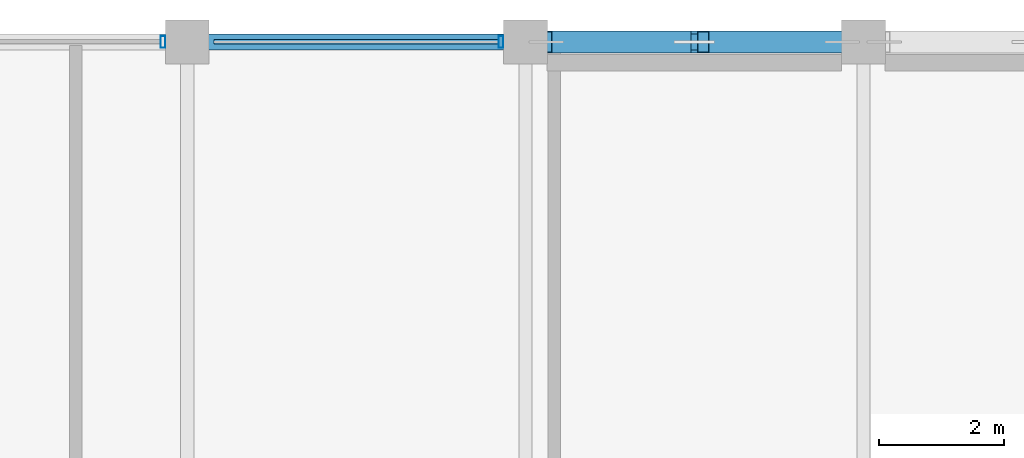
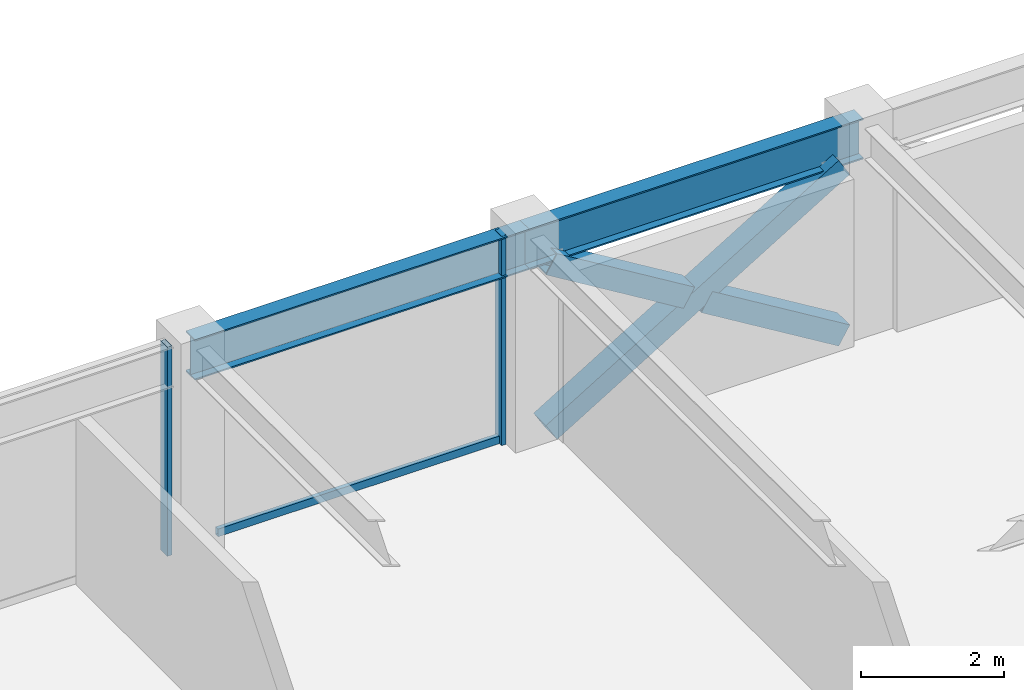
# One storey, part 17 of 31: 6 members, 2 beams, 1 element without a shape of its own.
"""IFC4 building model written with IfcOpenShell, lengths in metres."""

from ifc_helpers import new_model, si_unit, direction, frame, origin, origin_2d, place, context, subcontext, project, spatial, hollow_rectangle, i_section, extrude, material, layer, layer_set, material_profile, profile_set, type_object, element, aggregate, save


model = new_model("IFC4")

# Units and contexts
model_context = context("Model", 3, precision=1e-05, world=origin(), true_north=direction((0.0, 1.0)))
body_context = subcontext(model_context, "Body", "Model", "MODEL_VIEW")
ifc_project = project(units=[si_unit("LENGTHUNIT", "METRE"), si_unit("AREAUNIT", "SQUARE_METRE"), si_unit("VOLUMEUNIT", "CUBIC_METRE"), si_unit("PLANEANGLEUNIT", "RADIAN"), si_unit("MASSUNIT", "GRAM", prefix="KILO")], contexts=[model_context])

# Site, building, storey
site_placement = place(None, origin())
site = spatial("IfcSite", under=ifc_project, at=site_placement, CompositionType="ELEMENT")
building_placement = place(site_placement, origin())
building = spatial("IfcBuilding", under=site, at=building_placement, Name="Surkhivell Harbour Commons", CompositionType="ELEMENT")
storey_placement = place(building_placement, frame((0.0, 0.0, 315.0)))
storey = spatial("IfcBuildingStorey", under=building, at=storey_placement, Name="L82", CompositionType="ELEMENT", Elevation=315.0)

# Beams
ifc_material_1 = material(Name="Steel S355", Category="steel")
ifc_material_profile_1 = material_profile(ifc_material_1, i_section(OverallWidth=0.256103515625, OverallDepth=0.693115234375, WebThickness=0.014404296875, FlangeThickness=0.023681640625, at=origin_2d()), Name="UB686x254x170")
ifc_profile_set_1 = profile_set([ifc_material_profile_1], Name="Steel S355")
beam_type = type_object("IfcBeamType", Name="BM-SPN-686", PredefinedType="SPANDREL", material=ifc_profile_set_1)
beam_1_placement = place(storey_placement, frame((-10.800048828125, 25.89990234375, 3.223388671875), z_axis=(1.0, 0.0, 0.0), x_axis=(0.0, 1.0, 0.0)))
element("IfcBeam", 1, at=beam_1_placement, inside=storey, type_object=beam_type, Name="L82 Tube Spandrel (-10.8,25.9)", PredefinedType="SPANDREL", context=body_context, shape_type="SweptSolid", body=[
    extrude(i_section(OverallWidth=0.256103515625, OverallDepth=0.693115234375, WebThickness=0.014404296875, FlangeThickness=0.023681640625, at=origin_2d()), origin(), (0.0, 0.0, 1.0), 5.400146484375),
])
beam_2_placement = place(storey_placement, frame((-5.39990234375, 25.89990234375, 3.223388671875), z_axis=(1.0, 0.0, 0.0), x_axis=(0.0, 1.0, 0.0)))
element("IfcBeam", 2, at=beam_2_placement, inside=storey, type_object=beam_type, Name="L82 Tube Spandrel (-5.4,25.9)", PredefinedType="SPANDREL", context=body_context, shape_type="SweptSolid", body=[
    extrude(i_section(OverallWidth=0.256103515625, OverallDepth=0.693115234375, WebThickness=0.014404296875, FlangeThickness=0.023681640625, at=origin_2d()), origin(), (0.0, 0.0, 1.0), 5.39990234375),
])

# Curtain wall, members
ifc_material_2 = material(Name="Anodised pale-metal aluminium and insulated glazing", Category="aluminium")
ifc_layer = layer(ifc_material_2, 0.175048828125)
ifc_layer_set = layer_set([ifc_layer], Name="Anodised pale-metal aluminium and insulated glazing")
curtain_wall_type = type_object("IfcCurtainWallType", Name="CW-SYS-Z4", PredefinedType="NOTDEFINED", material=ifc_layer_set)
curtain_wall_placement = place(storey_placement, origin())
curtain_wall = element("IfcCurtainWall", 3, at=curtain_wall_placement, inside=storey, type_object=curtain_wall_type, Name="L82 Curtain Wall CW-L82-E07S2", PredefinedType="NOTDEFINED")
ifc_material_3 = material(Name="Anodised pale-metal aluminium alloy 6063-T6", Category="aluminium")
ifc_material_profile_2 = material_profile(ifc_material_3, hollow_rectangle(XDim=0.074951171875, YDim=0.18994140625, WallThickness=0.00390625, at=origin_2d()), Name="ALU-MULL-75x190")
ifc_profile_set_2 = profile_set([ifc_material_profile_2], Name="Anodised pale-metal aluminium alloy 6063-T6")
member_type_1 = type_object("IfcMemberType", Name="CWM-190", PredefinedType="MULLION", material=ifc_profile_set_2)
member_1_placement = place(storey_placement, frame((-5.78955078125, 25.89990234375, 0.0), z_axis=(0.0, 0.0, 1.0), x_axis=(-1.0, 0.0, 0.0)))
member_1 = element("IfcMember", 4, at=member_1_placement, type_object=member_type_1, Name="CW-Z4 mullion 1", PredefinedType="MULLION", context=body_context, shape_type="SweptSolid", body=[
    extrude(hollow_rectangle(XDim=0.074951171875, YDim=0.18994140625, WallThickness=0.00390625, at=origin_2d()), origin(), (0.0, 0.0, 1.0), 3.570068359375),
])
member_2_placement = place(storey_placement, frame((-11.189453125, 25.89990234375, 0.0), z_axis=(0.0, 0.0, 1.0), x_axis=(-1.0, 0.0, 0.0)))
member_2 = element("IfcMember", 5, at=member_2_placement, type_object=member_type_1, Name="CW-Z4 mullion 2", PredefinedType="MULLION", context=body_context, shape_type="SweptSolid", body=[
    extrude(hollow_rectangle(XDim=0.074951171875, YDim=0.18994140625, WallThickness=0.00390625, at=origin_2d()), origin(), (0.0, 0.0, 1.0), 3.570068359375),
])
ifc_material_4 = material(Name="Champagne anodised aluminium alloy 6063-T6", Category="aluminium")
ifc_material_profile_3 = material_profile(ifc_material_4, hollow_rectangle(XDim=0.070068359375, YDim=0.1298828125, WallThickness=0.00341796875, at=origin_2d()), Name="ALU-TRAN-70x130")
ifc_profile_set_3 = profile_set([ifc_material_profile_3], Name="Champagne anodised aluminium alloy 6063-T6")
member_type_2 = type_object("IfcMemberType", Name="CWT-130", PredefinedType="USERDEFINED", material=ifc_profile_set_3)
member_3_placement = place(storey_placement, frame((-5.826904296875, 25.89990234375, 0.06494140625), z_axis=(-1.0, 0.0, 0.0), x_axis=(0.0, -1.0, 0.0)))
member_3 = element("IfcMember", 6, at=member_3_placement, type_object=member_type_2, Name="CW-Z4 transom 1.1", ObjectType="TRANSOM", PredefinedType="USERDEFINED", context=body_context, shape_type="SweptSolid", body=[
    extrude(hollow_rectangle(XDim=0.070068359375, YDim=0.1298828125, WallThickness=0.00341796875, at=origin_2d()), origin(), (0.0, 0.0, 1.0), 4.546142578125),
])
aggregate(curtain_wall, [member_1, member_3, member_2])

# Members
ifc_material_profile_4 = material_profile(ifc_material_1, hollow_rectangle(XDim=0.35009765625, YDim=0.35009765625, WallThickness=0.01611328125, at=origin_2d()), Name="SHS350x350x16")
ifc_profile_set_4 = profile_set([ifc_material_profile_4], Name="Steel S355")
member_type_3 = type_object("IfcMemberType", Name="MEM-BRC-SHS350", PredefinedType="BRACE", material=ifc_profile_set_4)
member_4_placement = place(storey_placement, frame((-5.06494140625, 25.89990234375, 0.008056640625), z_axis=(0.854685454322, 0.0, 0.519146197299), x_axis=(0.0, 1.0, 0.0)))
element("IfcMember", 7, at=member_4_placement, inside=storey, type_object=member_type_3, Name="L82 Perimeter Mega-Brace MB- 01", PredefinedType="BRACE", context=body_context, shape_type="SweptSolid", body=[
    extrude(hollow_rectangle(XDim=0.35009765625, YDim=0.35009765625, WallThickness=0.01611328125, at=origin_2d()), origin(), (0.0, 0.0, 1.0), 5.5341796875),
])
for number, where, z_axis, x_axis, name in (
    (8, (-0.3349609375, 25.89990234375, 0.008056640625), (-0.854678858595, 0.0, 0.51915705588), (0.0, -1.0, 0.0), "L82 Perimeter Mega-Brace MB- 02"),
    (9, (-2.843505859375, 25.89990234375, 1.53173828125), (-0.854678858595, 0.0, 0.51915705588), (0.0, -1.0, 0.0), "L82 Perimeter Mega-Brace MB- 03"),
):
    element("IfcMember", number, at=place(storey_placement, frame(where, z_axis=z_axis, x_axis=x_axis)), inside=storey, type_object=member_type_3, Name=name, PredefinedType="BRACE", context=body_context, shape_type="SweptSolid", body=[
        extrude(hollow_rectangle(XDim=0.35009765625, YDim=0.35009765625, WallThickness=0.01611328125, at=origin_2d()), origin(), (0.0, 0.0, 1.0), 2.59912109375),
    ])

save(model, "model.ifc")
